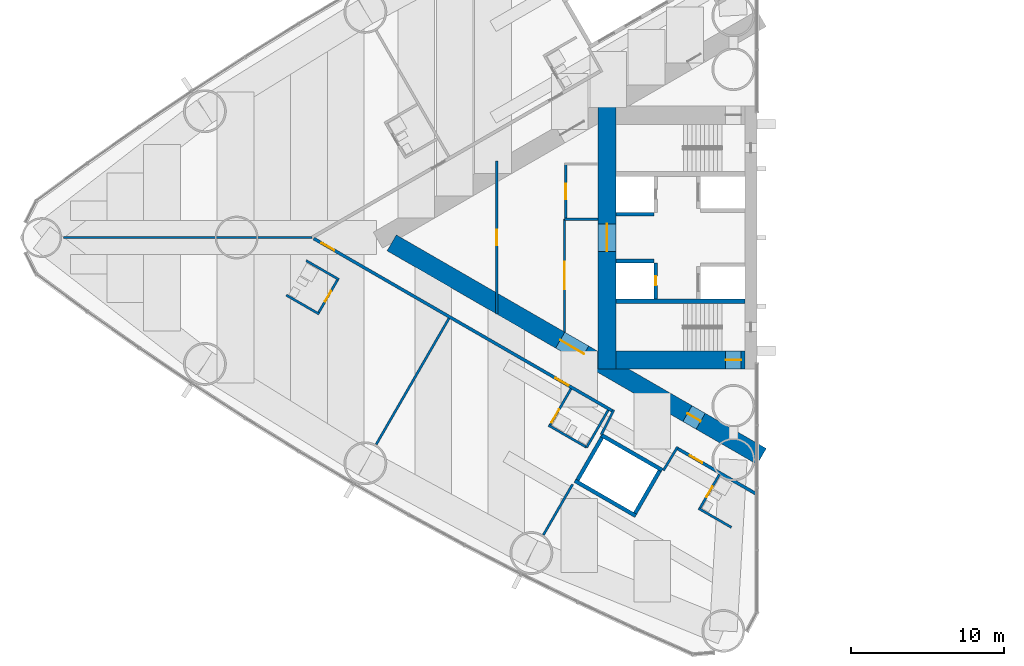
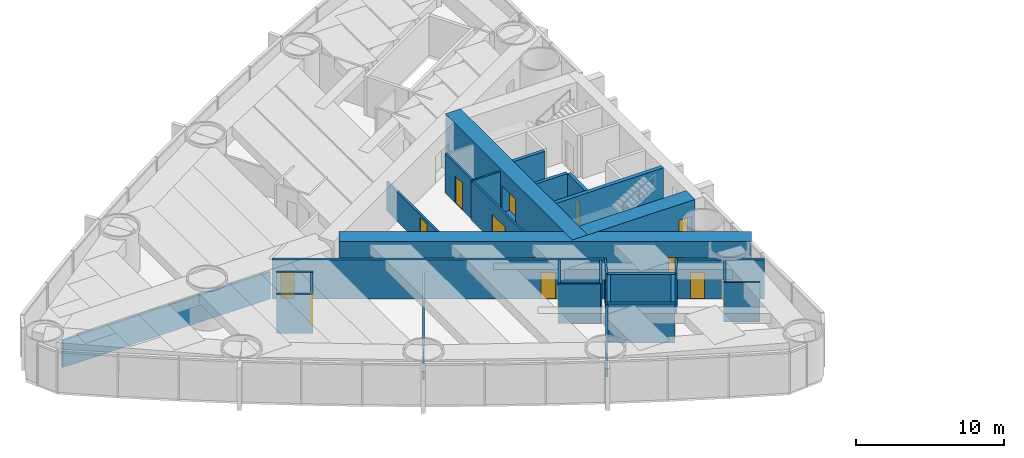
# One storey, part 11 of 19: 30 walls, 14 doors, 14 openings.
"""IFC4 building model written with IfcOpenShell, lengths in metres."""

from ifc_helpers import new_model, si_unit, direction, frame, frame_2d, origin, place, context, subcontext, project, spatial, rectangle, extrude, material, layer, layer_set, type_object, element, fill, save


model = new_model("IFC4")

# Units and contexts
model_context = context("Model", 3, precision=1e-05, world=origin(), true_north=direction((0.0, 1.0)))
body_context = subcontext(model_context, "Body", "Model", "MODEL_VIEW")
ifc_project = project(units=[si_unit("LENGTHUNIT", "METRE"), si_unit("AREAUNIT", "SQUARE_METRE"), si_unit("VOLUMEUNIT", "CUBIC_METRE"), si_unit("PLANEANGLEUNIT", "RADIAN"), si_unit("MASSUNIT", "GRAM", prefix="KILO")], contexts=[model_context])

# Site, building, storey
site_placement = place(None, origin())
site = spatial("IfcSite", under=ifc_project, at=site_placement, CompositionType="ELEMENT")
building_placement = place(site_placement, origin())
building = spatial("IfcBuilding", under=site, at=building_placement, Name="Lancet Gate Hotel", CompositionType="ELEMENT")
storey_placement = place(building_placement, frame((0.0, 0.0, 39.0)))
storey = spatial("IfcBuildingStorey", under=building, at=storey_placement, Name="L09", CompositionType="ELEMENT", Elevation=39.0)

# Wall
ifc_material_1 = material(Name="Moisture resistant board partition")
ifc_layer_1 = layer(ifc_material_1, 0.14990234375)
ifc_layer_set_1 = layer_set([ifc_layer_1], Name="Bathroom wall 150")
wall_type_1 = type_object("IfcWallType", Name="Bathroom wall 150", PredefinedType="PARTITIONING", material=ifc_layer_set_1)
wall_1_placement = place(storey_placement, frame((-56.111083984375, -4.998291015625, 0.0), z_axis=(0.0, 0.0, 1.0), x_axis=(-0.866031185235, 0.4999899861, 0.0)))
element("IfcWall", 1, at=wall_1_placement, inside=storey, type_object=wall_type_1, Name="T1 bathroom wall 150 L09", PredefinedType="PARTITIONING", context=body_context, shape_type="SweptSolid", body=[
    extrude(rectangle(XDim=2.47509765625, YDim=0.14990234375, at=frame_2d((1.237548828125, 0.0))), origin(), (0.0, 0.0, 1.0), 3.25),
])

# Wall, opening, door
wall_2_placement = place(storey_placement, frame((-54.8759765625, -2.708984375, 0.0), z_axis=(0.0, 0.0, 1.0), x_axis=(-0.500006934395, -0.866021400173, 0.0)))
wall_2 = element("IfcWall", 2, at=wall_2_placement, inside=storey, type_object=wall_type_1, Name="T1 bathroom wall 150 L09", PredefinedType="PARTITIONING", context=body_context, shape_type="SweptSolid", body=[
    extrude(rectangle(XDim=2.60009765625, YDim=0.14990234375, at=frame_2d((1.300048828125, 0.0))), origin(), (0.0, 0.0, 1.0), 3.25),
])
opening_1_placement = place(wall_2_placement, frame((0.89990234375, 0.0, 0.0)))
opening_1 = element("IfcOpeningElement", 3, at=opening_1_placement, cuts=wall_2, Name="Opening 0905-B", PredefinedType="OPENING", context=body_context, shape_type="SweptSolid", body=[
    extrude(rectangle(XDim=0.800048828125, YDim=2.199951171875, at=frame_2d((0.39990234375, 1.10009765625))), frame((0.0, 0.0849609375, 0.0), z_axis=(0.0, -1.0, 0.0), x_axis=(1.0, 0.0, 0.0)), (0.0, 0.0, 1.0), 0.169921875),
])
ifc_material_2 = material(Name="Timber door set", Category="wood")
door_type_1 = type_object("IfcDoorType", Name="Bathroom door 800", OperationType="SINGLE_SWING_RIGHT", PredefinedType="DOOR", material=ifc_material_2)
door_1_placement = place(opening_1_placement, origin())
door_1 = element("IfcDoor", 4, at=door_1_placement, inside=storey, type_object=door_type_1, Name="0905-B", OperationType="SINGLE_SWING_RIGHT", OverallHeight=2.199951171875, OverallWidth=0.800048828125, PredefinedType="DOOR", context=body_context, shape_type="SweptSolid", body=[
    extrude(rectangle(XDim=0.800048828125, YDim=2.199951171875, at=frame_2d((0.39990234375, 1.10009765625))), frame((0.0, 0.02490234375, 0.0), z_axis=(0.0, -1.0, 0.0), x_axis=(1.0, 0.0, 0.0)), (0.0, 0.0, 1.0), 0.050048828125),
])
fill(opening_1, door_1)

# Walls
wall_3_placement = place(storey_placement, frame((-54.81103515625, -2.74658203125, 0.0), z_axis=(0.0, 0.0, 1.0), x_axis=(-0.866031185235, 0.4999899861, 0.0)))
element("IfcWall", 5, at=wall_3_placement, inside=storey, type_object=wall_type_1, Name="T1 bathroom wall 150 L09", PredefinedType="PARTITIONING", context=body_context, shape_type="SweptSolid", body=[
    extrude(rectangle(XDim=2.47509765625, YDim=0.14990234375, at=frame_2d((1.237548828125, 0.0))), origin(), (0.0, 0.0, 1.0), 3.25),
])
wall_4_placement = place(storey_placement, frame((-38.630126953125, -13.705322265625, 0.0), z_axis=(0.0, 0.0, 1.0), x_axis=(-0.866018712932, 0.500011588718, 0.0)))
element("IfcWall", 6, at=wall_4_placement, inside=storey, type_object=wall_type_1, Name="T1 bathroom wall 150 L09", PredefinedType="PARTITIONING", context=body_context, shape_type="SweptSolid", body=[
    extrude(rectangle(XDim=2.875, YDim=0.14990234375, at=frame_2d((1.4375, 0.0))), origin(), (0.0, 0.0, 1.0), 3.25),
])

# Wall, opening, door
wall_5_placement = place(storey_placement, frame((-39.65478515625, -9.88037109375, 0.0), z_axis=(0.0, 0.0, 1.0), x_axis=(-0.500049511043, -0.865996816683, 0.0)))
wall_5 = element("IfcWall", 7, at=wall_5_placement, inside=storey, type_object=wall_type_1, Name="T1 bathroom wall 150 L09", PredefinedType="PARTITIONING", context=body_context, shape_type="SweptSolid", body=[
    extrude(rectangle(XDim=2.800048828125, YDim=0.14990234375, at=frame_2d((1.39990234375, 0.0))), origin(), (0.0, 0.0, 1.0), 3.25),
])
opening_2_placement = place(wall_5_placement, frame((1.550048828125, 0.0, 0.0)))
opening_2 = element("IfcOpeningElement", 8, at=opening_2_placement, cuts=wall_5, Name="Opening 0907-B", PredefinedType="OPENING", context=body_context, shape_type="SweptSolid", body=[
    extrude(rectangle(XDim=1.0, YDim=2.199951171875, at=frame_2d((0.5, 1.10009765625))), frame((0.0, 0.0849609375, 0.0), z_axis=(0.0, -1.0, 0.0), x_axis=(1.0, 0.0, 0.0)), (0.0, 0.0, 1.0), 0.169921875),
])
ifc_material_3 = material(Name="Timber door set", Category="wood")
door_type_2 = type_object("IfcDoorType", Name="Accessible en-suite door 1000", OperationType="SINGLE_SWING_RIGHT", PredefinedType="DOOR", material=ifc_material_3)
door_2_placement = place(opening_2_placement, origin())
door_2 = element("IfcDoor", 9, at=door_2_placement, inside=storey, type_object=door_type_2, Name="0907-B", OperationType="SINGLE_SWING_RIGHT", OverallHeight=2.199951171875, OverallWidth=1.0, PredefinedType="DOOR", context=body_context, shape_type="SweptSolid", body=[
    extrude(rectangle(XDim=1.0, YDim=2.199951171875, at=frame_2d((0.5, 1.10009765625))), frame((0.0, 0.02490234375, 0.0), z_axis=(0.0, -1.0, 0.0), x_axis=(1.0, 0.0, 0.0)), (0.0, 0.0, 1.0), 0.050048828125),
])
fill(opening_2, door_2)

# Walls
wall_6_placement = place(storey_placement, frame((-37.22998046875, -11.280517578125, 0.0), z_axis=(0.0, 0.0, 1.0), x_axis=(-0.500049511043, -0.865996816683, 0.0)))
element("IfcWall", 10, at=wall_6_placement, inside=storey, type_object=wall_type_1, Name="T1 bathroom wall 150 L09", PredefinedType="PARTITIONING", context=body_context, shape_type="SweptSolid", body=[
    extrude(rectangle(XDim=2.800048828125, YDim=0.14990234375, at=frame_2d((1.39990234375, 0.0))), origin(), (0.0, 0.0, 1.0), 3.25),
])
wall_7_placement = place(storey_placement, frame((-29.181884765625, -18.92919921875, 0.0), z_axis=(0.0, 0.0, 1.0), x_axis=(-0.866006523861, 0.500032699561, 0.0)))
element("IfcWall", 11, at=wall_7_placement, inside=storey, type_object=wall_type_1, Name="T1 bathroom wall 150 L09", PredefinedType="PARTITIONING", context=body_context, shape_type="SweptSolid", body=[
    extrude(rectangle(XDim=2.474853515625, YDim=0.14990234375, at=frame_2d((1.2373046875, 0.0))), origin(), (0.0, 0.0, 1.0), 3.25),
])

# Wall, opening, door
wall_8_placement = place(storey_placement, frame((-29.960205078125, -15.4775390625, 0.0), z_axis=(0.0, 0.0, 1.0), x_axis=(-0.500006934395, -0.866021400173, 0.0)))
wall_8 = element("IfcWall", 12, at=wall_8_placement, inside=storey, type_object=wall_type_1, Name="T1 bathroom wall 150 L09", PredefinedType="PARTITIONING", context=body_context, shape_type="SweptSolid", body=[
    extrude(rectangle(XDim=2.60009765625, YDim=0.14990234375, at=frame_2d((1.300048828125, 0.0))), origin(), (0.0, 0.0, 1.0), 3.25),
])
opening_3_placement = place(wall_8_placement, frame((0.89990234375, 0.0, 0.0)))
opening_3 = element("IfcOpeningElement", 13, at=opening_3_placement, cuts=wall_8, Name="Opening 0908-B", PredefinedType="OPENING", context=body_context, shape_type="SweptSolid", body=[
    extrude(rectangle(XDim=0.800048828125, YDim=2.199951171875, at=frame_2d((0.39990234375, 1.10009765625))), frame((0.0, 0.0849609375, 0.0), z_axis=(0.0, -1.0, 0.0), x_axis=(1.0, 0.0, 0.0)), (0.0, 0.0, 1.0), 0.169921875),
])
door_3_placement = place(opening_3_placement, origin())
door_3 = element("IfcDoor", 14, at=door_3_placement, inside=storey, type_object=door_type_1, Name="0908-B", OperationType="SINGLE_SWING_RIGHT", OverallHeight=2.199951171875, OverallWidth=0.800048828125, PredefinedType="DOOR", context=body_context, shape_type="SweptSolid", body=[
    extrude(rectangle(XDim=0.800048828125, YDim=2.199951171875, at=frame_2d((0.39990234375, 1.10009765625))), frame((0.0, 0.02490234375, 0.0), z_axis=(0.0, -1.0, 0.0), x_axis=(1.0, 0.0, 0.0)), (0.0, 0.0, 1.0), 0.050048828125),
])
fill(opening_3, door_3)

# Wall, openings, doors
ifc_material_4 = material(Name="Concrete C70/85", Category="concrete")
ifc_layer_2 = layer(ifc_material_4, 1.199951171875)
ifc_layer_set_2 = layer_set([ifc_layer_2], Name="Buttress wall 1200")
wall_type_2 = type_object("IfcWallType", Name="Buttress wall 1200", PredefinedType="SHEAR", material=ifc_layer_set_2)
wall_9_placement = place(storey_placement, frame((-27.199951171875, -14.300048828125, 0.0), z_axis=(0.0, 0.0, 1.0), x_axis=(-0.866024021859, 0.500002393557, 0.0)))
wall_9 = element("IfcWall", 15, at=wall_9_placement, inside=storey, type_object=wall_type_2, Name="T1 buttress wall N L09", PredefinedType="SHEAR", context=body_context, shape_type="SweptSolid", body=[
    extrude(rectangle(XDim=27.906982421875, YDim=1.199951171875, at=frame_2d((13.95361328125, 0.0))), origin(), (0.0, 0.0, 1.0), 3.5),
])
opening_4_placement = place(wall_9_placement, frame((4.60009765625, 0.0, 0.0)))
opening_4 = element("IfcOpeningElement", 16, at=opening_4_placement, cuts=wall_9, Name="Opening T1-L09-LN", PredefinedType="OPENING", context=body_context, shape_type="SweptSolid", body=[
    extrude(rectangle(XDim=1.0, YDim=2.199951171875, at=frame_2d((0.5, 1.10009765625))), frame((0.0, 0.60986328125, 0.0), z_axis=(0.0, -1.0, 0.0), x_axis=(1.0, 0.0, 0.0)), (0.0, 0.0, 1.0), 1.219970703125),
])
opening_5_placement = place(wall_9_placement, frame((13.39453125, 0.0, 0.0)))
opening_5 = element("IfcOpeningElement", 17, at=opening_5_placement, cuts=wall_9, Name="Opening T1-L09-LHN", PredefinedType="OPENING", context=body_context, shape_type="SweptSolid", body=[
    extrude(rectangle(XDim=1.800048828125, YDim=2.199951171875, at=frame_2d((0.89990234375, 1.10009765625))), frame((0.0, 0.60986328125, 0.0), z_axis=(0.0, -1.0, 0.0), x_axis=(1.0, 0.0, 0.0)), (0.0, 0.0, 1.0), 1.219970703125),
])
ifc_material_5 = material(Name="Timber door set", Category="wood")
door_type_3 = type_object("IfcDoorType", Name="Lobby double door 1800", OperationType="DOUBLE_DOOR_SINGLE_SWING", PredefinedType="DOOR", material=ifc_material_5)
door_4_placement = place(opening_5_placement, origin())
door_4 = element("IfcDoor", 18, at=door_4_placement, inside=storey, type_object=door_type_3, Name="T1-L09-LHN", OperationType="DOUBLE_DOOR_SINGLE_SWING", OverallHeight=2.199951171875, OverallWidth=1.800048828125, PredefinedType="DOOR", context=body_context, shape_type="SweptSolid", body=[
    extrude(rectangle(XDim=1.800048828125, YDim=2.199951171875, at=frame_2d((0.89990234375, 1.10009765625))), frame((0.0, 0.02490234375, 0.0), z_axis=(0.0, -1.0, 0.0), x_axis=(1.0, 0.0, 0.0)), (0.0, 0.0, 1.0), 0.050048828125),
])
fill(opening_5, door_4)
ifc_material_6 = material(Name="Timber door set", Category="wood")
door_type_4 = type_object("IfcDoorType", Name="Stair lobby door 1000", OperationType="SINGLE_SWING_LEFT", PredefinedType="DOOR", material=ifc_material_6)
door_5_placement = place(opening_4_placement, origin())
door_5 = element("IfcDoor", 19, at=door_5_placement, inside=storey, type_object=door_type_4, Name="T1-L09-LN", OperationType="SINGLE_SWING_LEFT", OverallHeight=2.199951171875, OverallWidth=1.0, PredefinedType="DOOR", context=body_context, shape_type="SweptSolid", body=[
    extrude(rectangle(XDim=1.0, YDim=2.199951171875, at=frame_2d((0.5, 1.10009765625))), frame((0.0, 0.02490234375, 0.0), z_axis=(0.0, -1.0, 0.0), x_axis=(1.0, 0.0, 0.0)), (0.0, 0.0, 1.0), 0.050048828125),
])
fill(opening_4, door_5)

# Wall, opening, door
ifc_material_7 = material(Name="Concrete C70/85", Category="concrete")
ifc_layer_3 = layer(ifc_material_7, 1.199951171875)
ifc_layer_set_3 = layer_set([ifc_layer_3], Name="Core wall 1200")
wall_type_3 = type_object("IfcWallType", Name="Core wall 1200", PredefinedType="SHEAR", material=ifc_layer_set_3)
wall_10_placement = place(storey_placement, frame((-37.300048828125, 8.60009765625, 0.0), z_axis=(0.0, 0.0, 1.0), x_axis=(0.0, -1.0, 0.0)))
wall_10 = element("IfcWall", 20, at=wall_10_placement, inside=storey, type_object=wall_type_3, Name="T1 core wall back L09", PredefinedType="SHEAR", context=body_context, shape_type="SweptSolid", body=[
    extrude(rectangle(XDim=17.2001953125, YDim=1.199951171875, at=frame_2d((8.60009765625, 0.0))), origin(), (0.0, 0.0, 1.0), 3.5),
])
opening_6_placement = place(wall_10_placement, frame((7.699951171875, 0.0, 0.0)))
opening_6 = element("IfcOpeningElement", 21, at=opening_6_placement, cuts=wall_10, Name="Opening T1-L09-LL", PredefinedType="OPENING", context=body_context, shape_type="SweptSolid", body=[
    extrude(rectangle(XDim=1.800048828125, YDim=2.199951171875, at=frame_2d((0.89990234375, 1.10009765625))), frame((0.0, 0.60986328125, 0.0), z_axis=(0.0, -1.0, 0.0), x_axis=(1.0, 0.0, 0.0)), (0.0, 0.0, 1.0), 1.219970703125),
])
door_6_placement = place(opening_6_placement, origin())
door_6 = element("IfcDoor", 22, at=door_6_placement, inside=storey, type_object=door_type_3, Name="T1-L09-LL", OperationType="DOUBLE_DOOR_SINGLE_SWING", OverallHeight=2.199951171875, OverallWidth=1.800048828125, PredefinedType="DOOR", context=body_context, shape_type="SweptSolid", body=[
    extrude(rectangle(XDim=1.800048828125, YDim=2.199951171875, at=frame_2d((0.89990234375, 1.10009765625))), frame((0.0, 0.02490234375, 0.0), z_axis=(0.0, -1.0, 0.0), x_axis=(1.0, 0.0, 0.0)), (0.0, 0.0, 1.0), 0.050048828125),
])
fill(opening_6, door_6)

wall_11_placement = place(storey_placement, frame((-28.300048828125, -8.0, 0.0), z_axis=(0.0, 0.0, 1.0), x_axis=(-1.0, 0.0, 0.0)))
wall_11 = element("IfcWall", 23, at=wall_11_placement, inside=storey, type_object=wall_type_3, Name="T1 core wall side-N L09", PredefinedType="SHEAR", context=body_context, shape_type="SweptSolid", body=[
    extrude(rectangle(XDim=8.39990234375, YDim=1.199951171875, at=frame_2d((4.199951171875, 0.0))), origin(), (0.0, 0.0, 1.0), 3.5),
])
opening_7_placement = place(wall_11_placement, frame((0.25, 0.0, 0.0)))
opening_7 = element("IfcOpeningElement", 24, at=opening_7_placement, cuts=wall_11, Name="Opening T1-L09-ST2", PredefinedType="OPENING", context=body_context, shape_type="SweptSolid", body=[
    extrude(rectangle(XDim=1.0, YDim=2.199951171875, at=frame_2d((0.5, 1.10009765625))), frame((0.0, 0.60986328125, 0.0), z_axis=(0.0, -1.0, 0.0), x_axis=(1.0, 0.0, 0.0)), (0.0, 0.0, 1.0), 1.219970703125),
])
ifc_material_8 = material(Name="Timber door set", Category="wood")
door_type_5 = type_object("IfcDoorType", Name="Stair door 1000", OperationType="SINGLE_SWING_RIGHT", PredefinedType="DOOR", material=ifc_material_8)
door_7_placement = place(opening_7_placement, origin())
door_7 = element("IfcDoor", 25, at=door_7_placement, inside=storey, type_object=door_type_5, Name="T1-L09-ST2", OperationType="SINGLE_SWING_RIGHT", OverallHeight=2.199951171875, OverallWidth=1.0, PredefinedType="DOOR", context=body_context, shape_type="SweptSolid", body=[
    extrude(rectangle(XDim=1.0, YDim=2.199951171875, at=frame_2d((0.5, 1.10009765625))), frame((0.0, 0.02490234375, 0.0), z_axis=(0.0, -1.0, 0.0), x_axis=(1.0, 0.0, 0.0)), (0.0, 0.0, 1.0), 0.050048828125),
])
fill(opening_7, door_7)

ifc_material_9 = material(Name="Gypsum board partition")
ifc_layer_4 = layer(ifc_material_9, 0.199951171875)
ifc_layer_set_4 = layer_set([ifc_layer_4], Name="Corridor wall 200")
wall_type_4 = type_object("IfcWallType", Name="Corridor wall 200", PredefinedType="PARTITIONING", material=ifc_layer_set_4)
wall_12_placement = place(storey_placement, frame((-27.572021484375, -16.740966796875, 0.0), z_axis=(0.0, 0.0, 1.0), x_axis=(-0.866024464444, 0.500001626982, 0.0)))
wall_12 = element("IfcWall", 26, at=wall_12_placement, inside=storey, type_object=wall_type_4, Name="T1 corridor wall 200 L09", PredefinedType="PARTITIONING", context=body_context, shape_type="SweptSolid", body=[
    extrude(rectangle(XDim=5.955078125, YDim=0.199951171875, at=frame_2d((2.9775390625, 0.0))), origin(), (0.0, 0.0, 1.0), 3.25),
])
opening_8_placement = place(wall_12_placement, frame((4.050048828125, 0.0, 0.0)))
opening_8 = element("IfcOpeningElement", 27, at=opening_8_placement, cuts=wall_12, Name="Opening 0908-E", PredefinedType="OPENING", context=body_context, shape_type="SweptSolid", body=[
    extrude(rectangle(XDim=0.949951171875, YDim=2.199951171875, at=frame_2d((0.47509765625, 1.10009765625))), frame((0.0, 0.10986328125, 0.0), z_axis=(0.0, -1.0, 0.0), x_axis=(1.0, 0.0, 0.0)), (0.0, 0.0, 1.0), 0.219970703125),
])
ifc_material_10 = material(Name="Timber door set", Category="wood")
door_type_6 = type_object("IfcDoorType", Name="Guest room entry door 950", OperationType="SINGLE_SWING_LEFT", PredefinedType="DOOR", material=ifc_material_10)
door_8_placement = place(opening_8_placement, origin())
door_8 = element("IfcDoor", 28, at=door_8_placement, inside=storey, type_object=door_type_6, Name="0908-E", OperationType="SINGLE_SWING_LEFT", OverallHeight=2.199951171875, OverallWidth=0.949951171875, PredefinedType="DOOR", context=body_context, shape_type="SweptSolid", body=[
    extrude(rectangle(XDim=0.949951171875, YDim=2.199951171875, at=frame_2d((0.47509765625, 1.10009765625))), frame((0.0, 0.02490234375, 0.0), z_axis=(0.0, -1.0, 0.0), x_axis=(1.0, 0.0, 0.0)), (0.0, 0.0, 1.0), 0.050048828125),
])
fill(opening_8, door_8)

# Wall, openings, doors
wall_13_placement = place(storey_placement, frame((-36.920166015625, -11.34375, 0.0), z_axis=(0.0, 0.0, 1.0), x_axis=(-0.866028313256, 0.499994960614, 0.0)))
wall_13 = element("IfcWall", 29, at=wall_13_placement, inside=storey, type_object=wall_type_4, Name="T1 corridor wall 200 L09", PredefinedType="PARTITIONING", context=body_context, shape_type="SweptSolid", body=[
    extrude(rectangle(XDim=22.567626953125, YDim=0.199951171875, at=frame_2d((11.28369140625, 0.0))), origin(), (0.0, 0.0, 1.0), 3.25),
])
opening_9_placement = place(wall_13_placement, frame((21.017578125, 0.0, 0.0)))
opening_9 = element("IfcOpeningElement", 30, at=opening_9_placement, cuts=wall_13, Name="Opening 0905-E", PredefinedType="OPENING", context=body_context, shape_type="SweptSolid", body=[
    extrude(rectangle(XDim=0.949951171875, YDim=2.199951171875, at=frame_2d((0.47509765625, 1.10009765625))), frame((0.0, 0.10986328125, 0.0), z_axis=(0.0, -1.0, 0.0), x_axis=(1.0, 0.0, 0.0)), (0.0, 0.0, 1.0), 0.219970703125),
])
opening_10_placement = place(wall_13_placement, frame((3.35009765625, 0.0, 0.0)))
opening_10 = element("IfcOpeningElement", 31, at=opening_10_placement, cuts=wall_13, Name="Opening 0907-E", PredefinedType="OPENING", context=body_context, shape_type="SweptSolid", body=[
    extrude(rectangle(XDim=1.0, YDim=2.199951171875, at=frame_2d((0.5, 1.10009765625))), frame((0.0, 0.10986328125, 0.0), z_axis=(0.0, -1.0, 0.0), x_axis=(1.0, 0.0, 0.0)), (0.0, 0.0, 1.0), 0.219970703125),
])
ifc_material_11 = material(Name="Timber door set", Category="wood")
door_type_7 = type_object("IfcDoorType", Name="Accessible guest room door 1000", OperationType="SINGLE_SWING_LEFT", PredefinedType="DOOR", material=ifc_material_11)
door_9_placement = place(opening_10_placement, origin())
door_9 = element("IfcDoor", 32, at=door_9_placement, inside=storey, type_object=door_type_7, Name="0907-E", OperationType="SINGLE_SWING_LEFT", OverallHeight=2.199951171875, OverallWidth=1.0, PredefinedType="DOOR", context=body_context, shape_type="SweptSolid", body=[
    extrude(rectangle(XDim=1.0, YDim=2.199951171875, at=frame_2d((0.5, 1.10009765625))), frame((0.0, 0.02490234375, 0.0), z_axis=(0.0, -1.0, 0.0), x_axis=(1.0, 0.0, 0.0)), (0.0, 0.0, 1.0), 0.050048828125),
])
fill(opening_10, door_9)
door_10_placement = place(opening_9_placement, origin())
door_10 = element("IfcDoor", 33, at=door_10_placement, inside=storey, type_object=door_type_6, Name="0905-E", OperationType="SINGLE_SWING_LEFT", OverallHeight=2.199951171875, OverallWidth=0.949951171875, PredefinedType="DOOR", context=body_context, shape_type="SweptSolid", body=[
    extrude(rectangle(XDim=0.949951171875, YDim=2.199951171875, at=frame_2d((0.47509765625, 1.10009765625))), frame((0.0, 0.02490234375, 0.0), z_axis=(0.0, -1.0, 0.0), x_axis=(1.0, 0.0, 0.0)), (0.0, 0.0, 1.0), 0.050048828125),
])
fill(opening_9, door_10)

# Walls
ifc_material_12 = material(Name="Gypsum board partition")
ifc_layer_5 = layer(ifc_material_12, 0.25)
ifc_layer_set_5 = layer_set([ifc_layer_5], Name="Lift shaft partition 250")
wall_type_5 = type_object("IfcWallType", Name="Lift shaft partition 250", PredefinedType="PARTITIONING", material=ifc_layer_set_5)
wall_14_placement = place(storey_placement, frame((-33.695556640625, -15.197265625, 0.0), z_axis=(0.0, 0.0, 1.0), x_axis=(-0.865976953817, 0.500083908417, 0.0)))
element("IfcWall", 34, at=wall_14_placement, inside=storey, type_object=wall_type_5, Name="T1 lift shaft wall EX L09", PredefinedType="PARTITIONING", context=body_context, shape_type="SweptSolid", body=[
    extrude(rectangle(XDim=4.599365234375, YDim=0.25, at=frame_2d((2.2998046875, 0.0))), origin(), (0.0, 0.0, 1.0), 3.25),
])
wall_15_placement = place(storey_placement, frame((-35.42041015625, -18.185791015625, 0.0), z_axis=(0.0, 0.0, 1.0), x_axis=(-0.865990227814, 0.50006092162, 0.0)))
element("IfcWall", 35, at=wall_15_placement, inside=storey, type_object=wall_type_5, Name="T1 lift shaft wall EX L09", PredefinedType="PARTITIONING", context=body_context, shape_type="SweptSolid", body=[
    extrude(rectangle(XDim=4.599609375, YDim=0.25, at=frame_2d((2.2998046875, 0.0))), origin(), (0.0, 0.0, 1.0), 3.25),
])
wall_16_placement = place(storey_placement, frame((-33.8662109375, -15.242919921875, 0.0), z_axis=(0.0, 0.0, 1.0), x_axis=(-0.499929347863, -0.866066190972, 0.0)))
element("IfcWall", 36, at=wall_16_placement, inside=storey, type_object=wall_type_5, Name="T1 lift shaft wall EX L09", PredefinedType="PARTITIONING", context=body_context, shape_type="SweptSolid", body=[
    extrude(rectangle(XDim=3.20068359375, YDim=0.25, at=frame_2d((1.600341796875, 0.0))), origin(), (0.0, 0.0, 1.0), 3.25),
])
wall_17_placement = place(storey_placement, frame((-37.6328125, -13.068115234375, 0.0), z_axis=(0.0, 0.0, 1.0), x_axis=(-0.499872130319, -0.866099216793, 0.0)))
element("IfcWall", 37, at=wall_17_placement, inside=storey, type_object=wall_type_5, Name="T1 lift shaft wall EX L09", PredefinedType="PARTITIONING", context=body_context, shape_type="SweptSolid", body=[
    extrude(rectangle(XDim=3.200439453125, YDim=0.25, at=frame_2d((1.60009765625, 0.0))), origin(), (0.0, 0.0, 1.0), 3.25),
])
ifc_material_13 = material(Name="Concrete C50/60", Category="concrete")
ifc_layer_6 = layer(ifc_material_13, 0.25)
ifc_layer_set_6 = layer_set([ifc_layer_6], Name="Lift shaft wall 250")
wall_type_6 = type_object("IfcWallType", Name="Lift shaft wall 250", PredefinedType="SHEAR", material=ifc_layer_set_6)
wall_18_placement = place(storey_placement, frame((-34.25, 1.52490234375, 0.0), z_axis=(0.0, 0.0, 1.0), x_axis=(-1.0, 0.0, 0.0)))
element("IfcWall", 38, at=wall_18_placement, inside=storey, type_object=wall_type_6, Name="T1 core wall pass2-S L09", PredefinedType="SHEAR", context=body_context, shape_type="SweptSolid", body=[
    extrude(rectangle(XDim=2.449951171875, YDim=0.25, at=frame_2d((1.22509765625, 0.0))), origin(), (0.0, 0.0, 1.0), 3.5),
])

# Wall, opening, door
wall_19_placement = place(storey_placement, frame((-34.125, -1.64990234375, 0.0), z_axis=(0.0, 0.0, 1.0), x_axis=(0.0, -1.0, 0.0)))
wall_19 = element("IfcWall", 39, at=wall_19_placement, inside=storey, type_object=wall_type_6, Name="T1 core wall row2-N L09", PredefinedType="SHEAR", context=body_context, shape_type="SweptSolid", body=[
    extrude(rectangle(XDim=2.35009765625, YDim=0.25, at=frame_2d((1.175048828125, 0.0))), origin(), (0.0, 0.0, 1.0), 3.5),
])
opening_11_placement = place(wall_19_placement, frame((0.875, 0.0, 0.0)))
opening_11 = element("IfcOpeningElement", 40, at=opening_11_placement, cuts=wall_19, Name="Opening T1-OL4-L09-E", PredefinedType="OPENING", context=body_context, shape_type="SweptSolid", body=[
    extrude(rectangle(XDim=0.60009765625, YDim=2.0, at=frame_2d((0.300048828125, 1.0))), frame((0.0, 0.135009765625, 0.0), z_axis=(0.0, -1.0, 0.0), x_axis=(1.0, 0.0, 0.0)), (0.0, 0.0, 1.0), 0.27001953125),
])
ifc_material_14 = material(Name="Steel door set", Category="steel")
door_type_8 = type_object("IfcDoorType", Name="Lift shaft emergency door 600x2000", OperationType="SLIDING_TO_LEFT", PredefinedType="DOOR", material=ifc_material_14)
door_11_placement = place(opening_11_placement, origin())
door_11 = element("IfcDoor", 41, at=door_11_placement, inside=storey, type_object=door_type_8, Name="T1-OL4-L09-E", OperationType="SLIDING_TO_LEFT", OverallHeight=2.0, OverallWidth=0.60009765625, PredefinedType="DOOR", context=body_context, shape_type="SweptSolid", body=[
    extrude(rectangle(XDim=0.60009765625, YDim=2.0, at=frame_2d((0.300048828125, 1.0))), frame((0.0, 0.02490234375, 0.0), z_axis=(0.0, -1.0, 0.0), x_axis=(1.0, 0.0, 0.0)), (0.0, 0.0, 1.0), 0.050048828125),
])
fill(opening_11, door_11)

# Walls
wall_20_placement = place(storey_placement, frame((-34.25, -1.52490234375, 0.0), z_axis=(0.0, 0.0, 1.0), x_axis=(-1.0, 0.0, 0.0)))
element("IfcWall", 42, at=wall_20_placement, inside=storey, type_object=wall_type_6, Name="T1 core wall pass2-N L09", PredefinedType="SHEAR", context=body_context, shape_type="SweptSolid", body=[
    extrude(rectangle(XDim=2.449951171875, YDim=0.25, at=frame_2d((1.22509765625, 0.0))), origin(), (0.0, 0.0, 1.0), 3.5),
])
ifc_material_15 = material(Name="Gypsum board partition")
ifc_layer_7 = layer(ifc_material_15, 0.14990234375)
ifc_layer_set_7 = layer_set([ifc_layer_7], Name="Party wall 150")
wall_type_7 = type_object("IfcWallType", Name="Party wall 150", PredefinedType="PARTITIONING", material=ifc_layer_set_7)
wall_21_placement = place(storey_placement, frame((-47.626708984375, -5.27783203125, 0.0), z_axis=(0.0, 0.0, 1.0), x_axis=(-0.500009844318, -0.86601972009, 0.0)))
element("IfcWall", 43, at=wall_21_placement, inside=storey, type_object=wall_type_7, Name="T1 party wall 150 L09", PredefinedType="PARTITIONING", context=body_context, shape_type="SweptSolid", body=[
    extrude(rectangle(XDim=9.510498046875, YDim=0.14990234375, at=frame_2d((4.75537109375, 0.0))), origin(), (0.0, 0.0, 1.0), 2.25),
])
wall_22_placement = place(storey_placement, frame((-56.568359375, 0.0, 0.0), z_axis=(0.0, 0.0, 1.0), x_axis=(-1.0, 0.0, 0.0)))
element("IfcWall", 44, at=wall_22_placement, inside=storey, type_object=wall_type_7, Name="T1 party wall 150 L09", PredefinedType="PARTITIONING", context=body_context, shape_type="SweptSolid", body=[
    extrude(rectangle(XDim=16.246826171875, YDim=0.14990234375, at=frame_2d((8.12353515625, 0.0))), origin(), (0.0, 0.0, 1.0), 2.25),
])
wall_23_placement = place(storey_placement, frame((-39.55078125, -16.118408203125, 0.0), z_axis=(0.0, 0.0, 1.0), x_axis=(-0.499986503906, -0.866033195618, 0.0)))
element("IfcWall", 45, at=wall_23_placement, inside=storey, type_object=wall_type_7, Name="T1 party wall 150 L09", PredefinedType="PARTITIONING", context=body_context, shape_type="SweptSolid", body=[
    extrude(rectangle(XDim=3.81494140625, YDim=0.14990234375, at=frame_2d((1.907470703125, 0.0))), origin(), (0.0, 0.0, 1.0), 3.25),
])
ifc_material_16 = material(Name="Gypsum board partition")
ifc_layer_8 = layer(ifc_material_16, 0.14990234375)
ifc_layer_set_8 = layer_set([ifc_layer_8], Name="Service room wall 150")
wall_type_8 = type_object("IfcWallType", Name="Service room wall 150", PredefinedType="PARTITIONING", material=ifc_layer_set_8)
wall_24_placement = place(storey_placement, frame((-36.857177734375, -11.2646484375, 0.0), z_axis=(0.0, 0.0, 1.0), x_axis=(-0.454225294761, -0.890886851176, 0.0)))
element("IfcWall", 46, at=wall_24_placement, inside=storey, type_object=wall_type_8, Name="T1 service room wall 150 L09", PredefinedType="PARTITIONING", context=body_context, shape_type="SweptSolid", body=[
    extrude(rectangle(XDim=1.80712890625, YDim=0.14990234375, at=frame_2d((0.903564453125, 0.0))), origin(), (0.0, 0.0, 1.0), 3.25),
])
wall_25_placement = place(storey_placement, frame((-33.62060546875, -15.217529296875, 0.0), z_axis=(0.0, 0.0, 1.0), x_axis=(0.514336634837, 0.857588377991, 0.0)))
element("IfcWall", 47, at=wall_25_placement, inside=storey, type_object=wall_type_8, Name="T1 service room wall 150 L09", PredefinedType="PARTITIONING", context=body_context, shape_type="SweptSolid", body=[
    extrude(rectangle(XDim=1.80517578125, YDim=0.14990234375, at=frame_2d((0.902587890625, 0.0))), origin(), (0.0, 0.0, 1.0), 3.25),
])
wall_26_placement = place(storey_placement, frame((-37.89990234375, 1.199951171875, 0.0), z_axis=(0.0, 0.0, 1.0), x_axis=(-1.0, 0.0, 0.0)))
element("IfcWall", 48, at=wall_26_placement, inside=storey, type_object=wall_type_8, Name="T1 service room wall 150 L09", PredefinedType="PARTITIONING", context=body_context, shape_type="SweptSolid", body=[
    extrude(rectangle(XDim=2.175048828125, YDim=0.14990234375, at=frame_2d((1.08740234375, 0.0))), origin(), (0.0, 0.0, 1.0), 3.25),
])

# Wall, opening, door
wall_27_placement = place(storey_placement, frame((-40.0, 4.875, 0.0), z_axis=(0.0, 0.0, 1.0), x_axis=(0.0, -1.0, 0.0)))
wall_27 = element("IfcWall", 49, at=wall_27_placement, inside=storey, type_object=wall_type_8, Name="T1 service room wall 150 L09", PredefinedType="PARTITIONING", context=body_context, shape_type="SweptSolid", body=[
    extrude(rectangle(XDim=3.75, YDim=0.14990234375, at=frame_2d((1.875, 0.0))), origin(), (0.0, 0.0, 1.0), 3.25),
])
opening_12_placement = place(wall_27_placement, frame((1.375, 0.0, 0.0)))
opening_12 = element("IfcOpeningElement", 50, at=opening_12_placement, cuts=wall_27, Name="Opening T1-L09-HRS0", PredefinedType="OPENING", context=body_context, shape_type="SweptSolid", body=[
    extrude(rectangle(XDim=1.0, YDim=2.199951171875, at=frame_2d((0.5, 1.10009765625))), frame((0.0, 0.0849609375, 0.0), z_axis=(0.0, -1.0, 0.0), x_axis=(1.0, 0.0, 0.0)), (0.0, 0.0, 1.0), 0.169921875),
])
ifc_material_17 = material(Name="Timber door set", Category="wood")
door_type_9 = type_object("IfcDoorType", Name="Service door 1000", OperationType="SINGLE_SWING_LEFT", PredefinedType="DOOR", material=ifc_material_17)
door_12_placement = place(opening_12_placement, origin())
door_12 = element("IfcDoor", 51, at=door_12_placement, inside=storey, type_object=door_type_9, Name="T1-L09-HRS0", OperationType="SINGLE_SWING_LEFT", OverallHeight=2.199951171875, OverallWidth=1.0, PredefinedType="DOOR", context=body_context, shape_type="SweptSolid", body=[
    extrude(rectangle(XDim=1.0, YDim=2.199951171875, at=frame_2d((0.5, 1.10009765625))), frame((0.0, 0.02490234375, 0.0), z_axis=(0.0, -1.0, 0.0), x_axis=(1.0, 0.0, 0.0)), (0.0, 0.0, 1.0), 0.050048828125),
])
fill(opening_12, door_12)

wall_28_placement = place(storey_placement, frame((-40.074951171875, 1.199951171875, 0.0), z_axis=(0.0, 0.0, 1.0), x_axis=(0.0, -1.0, 0.0)))
wall_28 = element("IfcWall", 52, at=wall_28_placement, inside=storey, type_object=wall_type_8, Name="T1 service room wall 150 L09", PredefinedType="PARTITIONING", context=body_context, shape_type="SweptSolid", body=[
    extrude(rectangle(XDim=7.373779296875, YDim=0.14990234375, at=frame_2d((3.68701171875, 0.0))), origin(), (0.0, 0.0, 1.0), 3.25),
])
opening_13_placement = place(wall_28_placement, frame((2.786865234375, 0.0, 0.0)))
opening_13 = element("IfcOpeningElement", 53, at=opening_13_placement, cuts=wall_28, Name="Opening T1-L09-LH", PredefinedType="OPENING", context=body_context, shape_type="SweptSolid", body=[
    extrude(rectangle(XDim=1.800048828125, YDim=2.199951171875, at=frame_2d((0.89990234375, 1.10009765625))), frame((0.0, 0.0849609375, 0.0), z_axis=(0.0, -1.0, 0.0), x_axis=(1.0, 0.0, 0.0)), (0.0, 0.0, 1.0), 0.169921875),
])
door_13_placement = place(opening_13_placement, origin())
door_13 = element("IfcDoor", 54, at=door_13_placement, inside=storey, type_object=door_type_3, Name="T1-L09-LH", OperationType="DOUBLE_DOOR_SINGLE_SWING", OverallHeight=2.199951171875, OverallWidth=1.800048828125, PredefinedType="DOOR", context=body_context, shape_type="SweptSolid", body=[
    extrude(rectangle(XDim=1.800048828125, YDim=2.199951171875, at=frame_2d((0.89990234375, 1.10009765625))), frame((0.0, 0.02490234375, 0.0), z_axis=(0.0, -1.0, 0.0), x_axis=(1.0, 0.0, 0.0)), (0.0, 0.0, 1.0), 0.050048828125),
])
fill(opening_13, door_13)

wall_29_placement = place(storey_placement, frame((-44.5, 5.004638671875, 0.0), z_axis=(0.0, 0.0, 1.0), x_axis=(0.0, -1.0, 0.0)))
wall_29 = element("IfcWall", 55, at=wall_29_placement, inside=storey, type_object=wall_type_8, Name="T1 service room wall 150 L09", PredefinedType="PARTITIONING", context=body_context, shape_type="SweptSolid", body=[
    extrude(rectangle(XDim=10.00927734375, YDim=0.14990234375, at=frame_2d((5.004638671875, 0.0))), origin(), (0.0, 0.0, 1.0), 2.449951171875),
])
opening_14_placement = place(wall_29_placement, frame((4.504638671875, 0.0, 0.0)))
opening_14 = element("IfcOpeningElement", 56, at=opening_14_placement, cuts=wall_29, Name="Opening T1-L09-SV", PredefinedType="OPENING", context=body_context, shape_type="SweptSolid", body=[
    extrude(rectangle(XDim=1.0, YDim=2.199951171875, at=frame_2d((0.5, 1.10009765625))), frame((0.0, 0.0849609375, 0.0), z_axis=(0.0, -1.0, 0.0), x_axis=(1.0, 0.0, 0.0)), (0.0, 0.0, 1.0), 0.169921875),
])
door_14_placement = place(opening_14_placement, origin())
door_14 = element("IfcDoor", 57, at=door_14_placement, inside=storey, type_object=door_type_9, Name="T1-L09-SV", OperationType="SINGLE_SWING_LEFT", OverallHeight=2.199951171875, OverallWidth=1.0, PredefinedType="DOOR", context=body_context, shape_type="SweptSolid", body=[
    extrude(rectangle(XDim=1.0, YDim=2.199951171875, at=frame_2d((0.5, 1.10009765625))), frame((0.0, 0.02490234375, 0.0), z_axis=(0.0, -1.0, 0.0), x_axis=(1.0, 0.0, 0.0)), (0.0, 0.0, 1.0), 0.050048828125),
])
fill(opening_14, door_14)

# Wall
ifc_material_18 = material(Name="Concrete C50/60", Category="concrete")
ifc_layer_9 = layer(ifc_material_18, 0.300048828125)
ifc_layer_set_9 = layer_set([ifc_layer_9], Name="Stair enclosure wall 300")
wall_type_9 = type_object("IfcWallType", Name="Stair enclosure wall 300", PredefinedType="SHEAR", material=ifc_layer_set_9)
wall_30_placement = place(storey_placement, frame((-28.300048828125, -4.14990234375, 0.0), z_axis=(0.0, 0.0, 1.0), x_axis=(-1.0, 0.0, 0.0)))
element("IfcWall", 58, at=wall_30_placement, inside=storey, type_object=wall_type_9, Name="T1 core wall stair-N L09", PredefinedType="SHEAR", context=body_context, shape_type="SweptSolid", body=[
    extrude(rectangle(XDim=8.39990234375, YDim=0.300048828125, at=frame_2d((4.199951171875, 0.0))), origin(), (0.0, 0.0, 1.0), 3.5),
])

save(model, "model.ifc")
